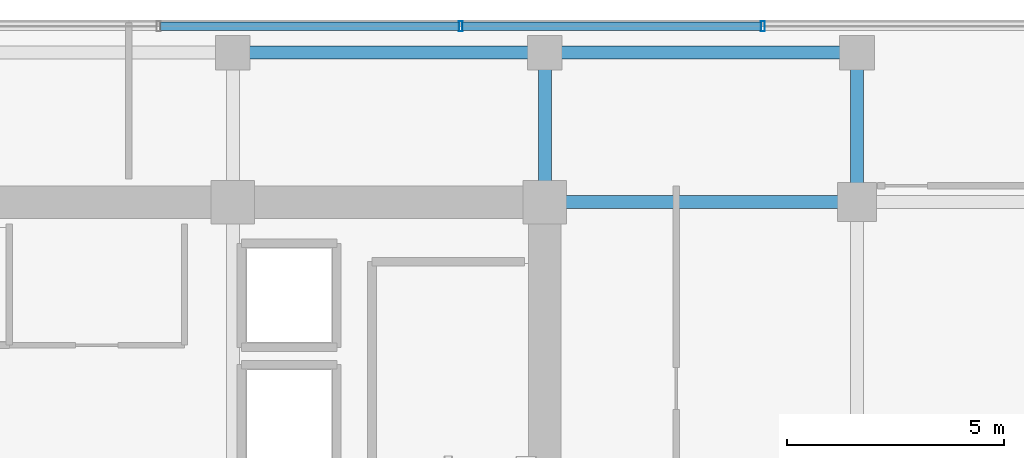
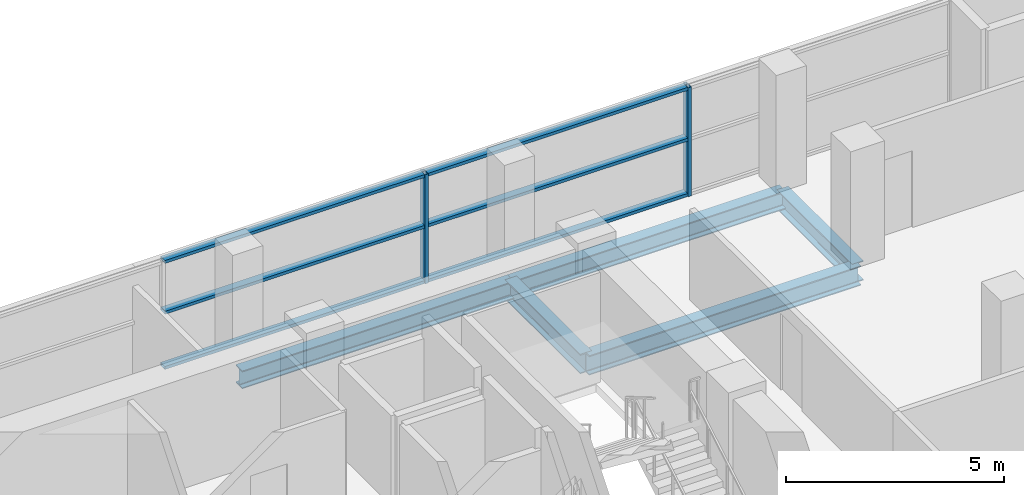
# One storey, part 14 of 24: 8 members, 5 beams, 1 element without a shape of its own.
"""IFC4 building model written with IfcOpenShell, lengths in metres."""

from ifc_helpers import new_model, si_unit, direction, frame, origin, origin_2d, place, context, subcontext, project, spatial, hollow_rectangle, i_section, extrude, source, transform, mapped, material, layer, layer_set, material_profile, profile_set, type_object, element, aggregate, save


model = new_model("IFC4")

# Units and contexts
model_context = context("Model", 3, precision=1e-05, world=origin(), true_north=direction((0.0, 1.0)))
body_context = subcontext(model_context, "Body", "Model", "MODEL_VIEW")
ifc_project = project(units=[si_unit("LENGTHUNIT", "METRE"), si_unit("AREAUNIT", "SQUARE_METRE"), si_unit("VOLUMEUNIT", "CUBIC_METRE"), si_unit("PLANEANGLEUNIT", "RADIAN"), si_unit("MASSUNIT", "GRAM", prefix="KILO")], contexts=[model_context])

# Site, building, storey
site_placement = place(None, origin())
site = spatial("IfcSite", under=ifc_project, at=site_placement, CompositionType="ELEMENT")
building_placement = place(site_placement, origin())
building = spatial("IfcBuilding", under=site, at=building_placement, Name="Zarnakvel Exchange Tower", CompositionType="ELEMENT")
storey_placement = place(building_placement, frame((0.0, 0.0, 119.800048828125)))
storey = spatial("IfcBuildingStorey", under=building, at=storey_placement, Name="L33", CompositionType="ELEMENT", Elevation=119.800048828125)

# Beams
ifc_material_1 = material(Name="Steel S355", Category="steel")
ifc_material_profile_1 = material_profile(ifc_material_1, i_section(OverallWidth=0.300048828125, OverallDepth=0.550048828125, WebThickness=0.014892578125, FlangeThickness=0.029052734375, FilletRadius=0.027099609375, at=origin_2d()))
ifc_profile_set_1 = profile_set([ifc_material_profile_1], Name="Steel S355")
beam_type_1 = type_object("IfcBeamType", Name="G-05", PredefinedType="BEAM", material=ifc_profile_set_1)
beam_1_placement = place(storey_placement, frame((14.39990234375, 13.5, -0.5), z_axis=(1.0, 0.0, 0.0), x_axis=(0.0, 1.0, 0.0)))
element("IfcBeam", 1, at=beam_1_placement, inside=storey, type_object=beam_type_1, Name="L33 Tower E-W Frame Beam", PredefinedType="BEAM", context=body_context, shape_type="SweptSolid", body=[
    extrude(i_section(OverallWidth=0.300048828125, OverallDepth=0.550048828125, WebThickness=0.014892578125, FlangeThickness=0.029052734375, FilletRadius=0.027099609375, at=origin_2d()), origin(), (0.0, 0.0, 1.0), 7.2001953125),
])
for number, where, z_axis, x_axis, name in (
    (2, (14.39990234375, 13.5, -0.5), (0.0, 1.0, 0.0), (-1.0, 0.0, 0.0), "L33 Tower N-S Frame Beam"),
    (3, (21.60009765625, 13.5, -0.5), (0.0, 1.0, 0.0), (-1.0, 0.0, 0.0), "L33 Tower N-S Frame Beam"),
):
    element("IfcBeam", number, at=place(storey_placement, frame(where, z_axis=z_axis, x_axis=x_axis)), inside=storey, type_object=beam_type_1, Name=name, PredefinedType="BEAM", context=body_context, shape_type="SweptSolid", body=[
        extrude(i_section(OverallWidth=0.300048828125, OverallDepth=0.550048828125, WebThickness=0.014892578125, FlangeThickness=0.029052734375, FilletRadius=0.027099609375, at=origin_2d()), origin(), (0.0, 0.0, 1.0), 3.449951171875),
    ])
ifc_material_profile_2 = material_profile(ifc_material_1, i_section(OverallWidth=0.300048828125, OverallDepth=0.5, WebThickness=0.014404296875, FlangeThickness=0.028076171875, FilletRadius=0.027099609375, at=origin_2d()))
ifc_profile_set_2 = profile_set([ifc_material_profile_2], Name="Steel S355")
beam_type_2 = type_object("IfcBeamType", Name="SP-02", PredefinedType="SPANDREL", material=ifc_profile_set_2)
beam_2_placement = place(storey_placement, frame((7.199951171875, 16.949951171875, -0.47509765625), z_axis=(1.0, 0.0, 0.0), x_axis=(0.0, 1.0, 0.0)))
element("IfcBeam", 4, at=beam_2_placement, inside=storey, type_object=beam_type_2, Name="L33 Tower E-W Frame Beam", PredefinedType="SPANDREL", context=body_context, shape_type="SweptSolid", body=[
    extrude(i_section(OverallWidth=0.300048828125, OverallDepth=0.5, WebThickness=0.014404296875, FlangeThickness=0.028076171875, FilletRadius=0.027099609375, at=origin_2d()), origin(), (0.0, 0.0, 1.0), 7.199951171875),
])
beam_3_placement = place(storey_placement, frame((14.39990234375, 16.949951171875, -0.47509765625), z_axis=(1.0, 0.0, 0.0), x_axis=(0.0, 1.0, 0.0)))
element("IfcBeam", 5, at=beam_3_placement, inside=storey, type_object=beam_type_2, Name="L33 Tower E-W Frame Beam", PredefinedType="SPANDREL", context=body_context, shape_type="SweptSolid", body=[
    extrude(i_section(OverallWidth=0.300048828125, OverallDepth=0.5, WebThickness=0.014404296875, FlangeThickness=0.028076171875, FilletRadius=0.027099609375, at=origin_2d()), origin(), (0.0, 0.0, 1.0), 7.2001953125),
])

# Curtain wall, members
ifc_material_2 = material(Name="Architectural Bronze Anodised Aluminium", Category="aluminium")
ifc_layer = layer(ifc_material_2, 0.239990234375)
ifc_layer_set = layer_set([ifc_layer], Name="Architectural Bronze Anodised Aluminium")
curtain_wall_type = type_object("IfcCurtainWallType", Name="CW-02", PredefinedType="NOTDEFINED", material=ifc_layer_set)
curtain_wall_placement = place(storey_placement, origin())
curtain_wall = element("IfcCurtainWall", 6, at=curtain_wall_placement, inside=storey, type_object=curtain_wall_type, Name="L33 Curtain Wall CW-L33-N1 (CW-02)", PredefinedType="NOTDEFINED")
ifc_material_profile_3 = material_profile(ifc_material_2, hollow_rectangle(XDim=0.239990234375, YDim=0.090087890625, WallThickness=0.006103515625, at=origin_2d()))
ifc_profile_set_3 = profile_set([ifc_material_profile_3], Name="Architectural Bronze Anodised Aluminium")
member_type_1 = type_object("IfcMemberType", Name="CWM-02", PredefinedType="MULLION", material=ifc_profile_set_3)
shared_shape_1 = source(origin(), body_context, "Body", "SweptSolid", [
    extrude(hollow_rectangle(XDim=0.239990234375, YDim=0.090087890625, WallThickness=0.006103515625, at=origin_2d()), origin(), (0.0, 0.0, 1.0), 3.054931640625),
])
member_1_placement = place(storey_placement, frame((12.45703125, 17.56005859375, 0.0), z_axis=(0.0, 0.0, 1.0), x_axis=(0.0, 1.0, 0.0)))
member_1 = element("IfcMember", 7, at=member_1_placement, type_object=member_type_1, Name="CW-02 mullion 6", PredefinedType="MULLION", context=body_context, shape_type="MappedRepresentation", body=[
    mapped(shared_shape_1, transform((0.0, 0.0, 0.0), x_axis=(1.0, 0.0, 0.0), y_axis=(0.0, 1.0, 0.0), z_axis=(0.0, 0.0, 1.0), scale=1.0)),
])
member_2_placement = place(storey_placement, frame((19.428466796875, 17.56005859375, 0.0), z_axis=(0.0, 0.0, 1.0), x_axis=(0.0, 1.0, 0.0)))
member_2 = element("IfcMember", 8, at=member_2_placement, type_object=member_type_1, Name="CW-02 mullion 7", PredefinedType="MULLION", context=body_context, shape_type="MappedRepresentation", body=[
    mapped(shared_shape_1, transform((0.0, 0.0, 0.0), x_axis=(1.0, 0.0, 0.0), y_axis=(0.0, 1.0, 0.0), z_axis=(0.0, 0.0, 1.0), scale=1.0)),
])
ifc_material_profile_4 = material_profile(ifc_material_2, hollow_rectangle(XDim=0.199951171875, YDim=0.0849609375, WallThickness=0.0048828125, at=origin_2d()))
ifc_profile_set_4 = profile_set([ifc_material_profile_4], Name="Architectural Bronze Anodised Aluminium")
member_type_2 = type_object("IfcMemberType", Name="CWT-02", PredefinedType="USERDEFINED", material=ifc_profile_set_4)
shared_shape_2 = source(origin(), body_context, "Body", "SweptSolid", [
    extrude(hollow_rectangle(XDim=0.199951171875, YDim=0.0849609375, WallThickness=0.0048828125, at=origin_2d()), origin(), (0.0, 0.0, 1.0), 6.88134765625),
])
member_3_placement = place(storey_placement, frame((5.53076171875, 17.56005859375, 0.04248046875), z_axis=(1.0, 0.0, 0.0), x_axis=(0.0, 1.0, 0.0)))
member_3 = element("IfcMember", 9, at=member_3_placement, type_object=member_type_2, Name="CW-02 transom 5.1", ObjectType="TRANSOM", PredefinedType="USERDEFINED", context=body_context, shape_type="MappedRepresentation", body=[
    mapped(shared_shape_2, transform((0.0, 0.0, 0.0), x_axis=(1.0, 0.0, 0.0), y_axis=(0.0, 1.0, 0.0), z_axis=(0.0, 0.0, 1.0), scale=1.0)),
])
member_4_placement = place(storey_placement, frame((5.53076171875, 17.56005859375, 1.588623046875), z_axis=(1.0, 0.0, 0.0), x_axis=(0.0, 1.0, 0.0)))
member_4 = element("IfcMember", 10, at=member_4_placement, type_object=member_type_2, Name="CW-02 transom 5.2", ObjectType="TRANSOM", PredefinedType="USERDEFINED", context=body_context, shape_type="MappedRepresentation", body=[
    mapped(shared_shape_2, transform((0.0, 0.0, 0.0), x_axis=(1.0, 0.0, 0.0), y_axis=(0.0, 1.0, 0.0), z_axis=(0.0, 0.0, 1.0), scale=1.0)),
])
member_5_placement = place(storey_placement, frame((5.53076171875, 17.56005859375, 3.012451171875), z_axis=(1.0, 0.0, 0.0), x_axis=(0.0, 1.0, 0.0)))
member_5 = element("IfcMember", 11, at=member_5_placement, type_object=member_type_2, Name="CW-02 transom 5.3", ObjectType="TRANSOM", PredefinedType="USERDEFINED", context=body_context, shape_type="MappedRepresentation", body=[
    mapped(shared_shape_2, transform((0.0, 0.0, 0.0), x_axis=(1.0, 0.0, 0.0), y_axis=(0.0, 1.0, 0.0), z_axis=(0.0, 0.0, 1.0), scale=1.0)),
])
member_6_placement = place(storey_placement, frame((12.502197265625, 17.56005859375, 0.04248046875), z_axis=(1.0, 0.0, 0.0), x_axis=(0.0, 1.0, 0.0)))
member_6 = element("IfcMember", 12, at=member_6_placement, type_object=member_type_2, Name="CW-02 transom 6.1", ObjectType="TRANSOM", PredefinedType="USERDEFINED", context=body_context, shape_type="MappedRepresentation", body=[
    mapped(shared_shape_2, transform((0.0, 0.0, 0.0), x_axis=(1.0, 0.0, 0.0), y_axis=(0.0, 1.0, 0.0), z_axis=(0.0, 0.0, 1.0), scale=1.0)),
])
member_7_placement = place(storey_placement, frame((12.502197265625, 17.56005859375, 1.588623046875), z_axis=(1.0, 0.0, 0.0), x_axis=(0.0, 1.0, 0.0)))
member_7 = element("IfcMember", 13, at=member_7_placement, type_object=member_type_2, Name="CW-02 transom 6.2", ObjectType="TRANSOM", PredefinedType="USERDEFINED", context=body_context, shape_type="MappedRepresentation", body=[
    mapped(shared_shape_2, transform((0.0, 0.0, 0.0), x_axis=(1.0, 0.0, 0.0), y_axis=(0.0, 1.0, 0.0), z_axis=(0.0, 0.0, 1.0), scale=1.0)),
])
member_8_placement = place(storey_placement, frame((12.502197265625, 17.56005859375, 3.012451171875), z_axis=(1.0, 0.0, 0.0), x_axis=(0.0, 1.0, 0.0)))
member_8 = element("IfcMember", 14, at=member_8_placement, type_object=member_type_2, Name="CW-02 transom 6.3", ObjectType="TRANSOM", PredefinedType="USERDEFINED", context=body_context, shape_type="MappedRepresentation", body=[
    mapped(shared_shape_2, transform((0.0, 0.0, 0.0), x_axis=(1.0, 0.0, 0.0), y_axis=(0.0, 1.0, 0.0), z_axis=(0.0, 0.0, 1.0), scale=1.0)),
])
aggregate(curtain_wall, [member_1, member_2, member_3, member_4, member_5, member_6, member_7, member_8])

save(model, "model.ifc")
